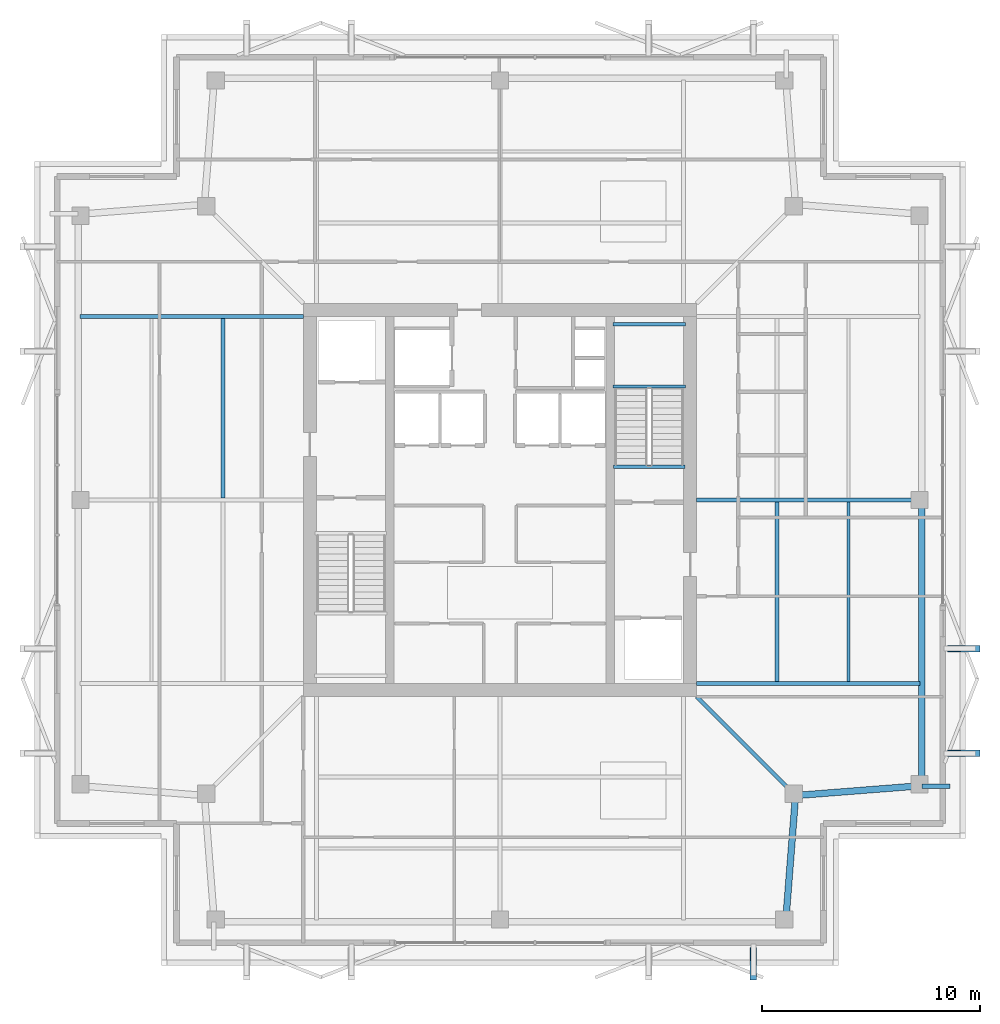
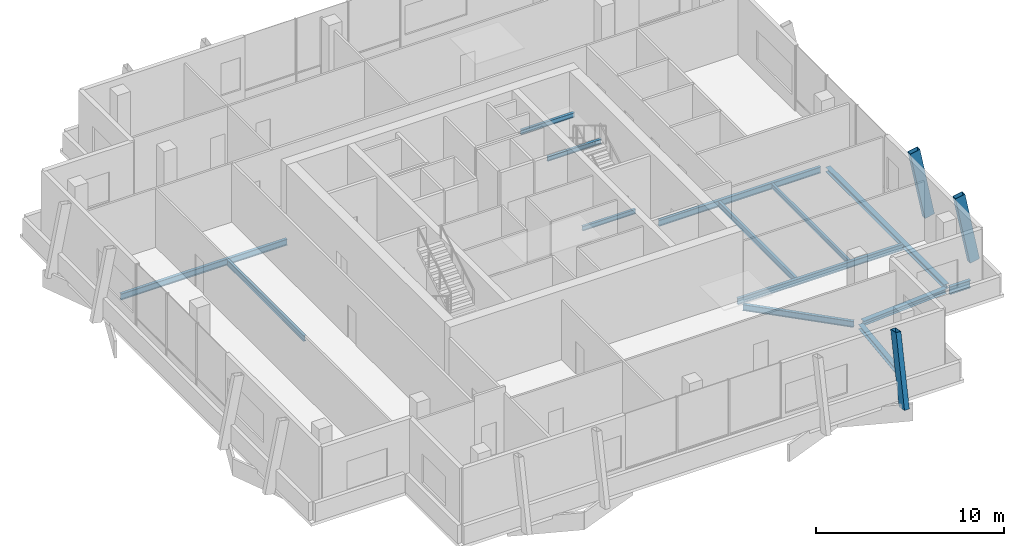
# One storey, part 7 of 17: 14 beams, 3 members.
"""IFC4 building model written with IfcOpenShell, lengths in metres."""

from ifc_helpers import new_model, si_unit, direction, frame, origin, origin_2d, place, context, subcontext, project, spatial, hollow_rectangle, i_section, extrude, material, material_profile, profile_set, type_object, element, save


model = new_model("IFC4")

# Units and contexts
model_context = context("Model", 3, precision=1e-05, world=origin(), true_north=direction((0.0, 1.0)))
body_context = subcontext(model_context, "Body", "Model", "MODEL_VIEW")
ifc_project = project(units=[si_unit("LENGTHUNIT", "METRE"), si_unit("AREAUNIT", "SQUARE_METRE"), si_unit("VOLUMEUNIT", "CUBIC_METRE"), si_unit("PLANEANGLEUNIT", "RADIAN"), si_unit("MASSUNIT", "GRAM", prefix="KILO")], contexts=[model_context])

# Site, building, storey
site_placement = place(None, origin())
site = spatial("IfcSite", under=ifc_project, at=site_placement, CompositionType="ELEMENT")
building_placement = place(site_placement, origin())
building = spatial("IfcBuilding", under=site, at=building_placement, Name="Belovzor Exchange Tower", CompositionType="ELEMENT")
storey_placement = place(building_placement, frame((0.0, 0.0, 355.5)))
storey = spatial("IfcBuildingStorey", under=building, at=storey_placement, Name="L89", CompositionType="ELEMENT", Elevation=355.5)

# Beams
ifc_material_1 = material(Name="Steel S355", Category="steel")
ifc_material_profile_1 = material_profile(ifc_material_1, i_section(OverallWidth=0.199951171875, OverallDepth=0.5, WebThickness=0.01025390625, FlangeThickness=0.01611328125, at=origin_2d()))
ifc_profile_set_1 = profile_set([ifc_material_profile_1], Name="Steel S355")
beam_type_1 = type_object("IfcBeamType", Name="Planted Balcony Cantilever Beam IPE 500", PredefinedType="BEAM", material=ifc_profile_set_1)
beam_1_placement = place(storey_placement, frame((48.1220703125, 15.705078125, -0.510009765625), z_axis=(1.0, 0.0, 0.0), x_axis=(0.0, 1.0, 0.0)))
element("IfcBeam", 1, at=beam_1_placement, inside=storey, type_object=beam_type_1, Name="BC-500 Planted Balcony Cantilever Beam IPE 500", PredefinedType="BEAM", context=body_context, shape_type="SweptSolid", body=[
    extrude(i_section(OverallWidth=0.199951171875, OverallDepth=0.5, WebThickness=0.01025390625, FlangeThickness=0.01611328125, at=origin_2d()), origin(), (0.0, 0.0, 1.0), 1.27783203125),
])
ifc_material_2 = material(Name="Steel S355", Category="steel")
ifc_material_profile_2 = material_profile(ifc_material_2, i_section(OverallWidth=0.169921875, OverallDepth=0.360107421875, WebThickness=0.008056640625, FlangeThickness=0.0126953125, at=origin_2d()))
ifc_profile_set_2 = profile_set([ifc_material_profile_2], Name="Steel S355")
beam_type_2 = type_object("IfcBeamType", Name="Secondary Infill Floor Joist IPE 360", PredefinedType="BEAM", material=ifc_profile_set_2)
beam_2_placement = place(storey_placement, frame((16.1201171875, 28.889892578125, -0.43994140625), z_axis=(0.0, 1.0, 0.0), x_axis=(-1.0, 0.0, 0.0)))
element("IfcBeam", 2, at=beam_2_placement, inside=storey, type_object=beam_type_2, Name="FJ-360 Secondary Infill Floor Joist IPE 360", PredefinedType="BEAM", context=body_context, shape_type="SweptSolid", body=[
    extrude(i_section(OverallWidth=0.169921875, OverallDepth=0.360107421875, WebThickness=0.008056640625, FlangeThickness=0.0126953125, at=origin_2d()), origin(), (0.0, 0.0, 1.0), 8.22021484375),
])
beam_3_placement = place(storey_placement, frame((41.47998046875, 20.489990234375, -0.43994140625), z_axis=(0.0, 1.0, 0.0), x_axis=(-1.0, 0.0, 0.0)))
element("IfcBeam", 3, at=beam_3_placement, inside=storey, type_object=beam_type_2, Name="FJ-360 Secondary Infill Floor Joist IPE 360", PredefinedType="BEAM", context=body_context, shape_type="SweptSolid", body=[
    extrude(i_section(OverallWidth=0.169921875, OverallDepth=0.360107421875, WebThickness=0.008056640625, FlangeThickness=0.0126953125, at=origin_2d()), origin(), (0.0, 0.0, 1.0), 8.219970703125),
])
ifc_material_3 = material(Name="Steel S355", Category="steel")
ifc_material_profile_3 = material_profile(ifc_material_3, i_section(OverallWidth=0.14990234375, OverallDepth=0.300048828125, WebThickness=0.007080078125, FlangeThickness=0.0107421875, at=origin_2d()))
ifc_profile_set_3 = profile_set([ifc_material_profile_3], Name="Steel S355")
beam_type_3 = type_object("IfcBeamType", Name="Secondary Trim Floor Joist IPE 300", PredefinedType="BEAM", material=ifc_profile_set_3)
for number, where, z_axis, x_axis, name in (
    (4, (37.280029296875, 34.0, 1.89990234375), (-1.0, 0.0, 0.0), (0.0, -1.0, 0.0), "FJ-300 Secondary Trim Floor Joist IPE 300"),
    (5, (37.280029296875, 36.85009765625, 1.89990234375), (-1.0, 0.0, 0.0), (0.0, -1.0, 0.0), "FJ-300 Secondary Trim Floor Joist IPE 300"),
):
    element("IfcBeam", number, at=place(storey_placement, frame(where, z_axis=z_axis, x_axis=x_axis)), inside=storey, type_object=beam_type_3, Name=name, PredefinedType="BEAM", context=body_context, shape_type="SweptSolid", body=[
        extrude(i_section(OverallWidth=0.14990234375, OverallDepth=0.300048828125, WebThickness=0.007080078125, FlangeThickness=0.0107421875, at=origin_2d()), origin(), (0.0, 0.0, 1.0), 3.31005859375),
    ])
beam_4_placement = place(storey_placement, frame((37.260009765625, 30.320068359375, -0.409912109375), z_axis=(-1.0, 0.0, 0.0), x_axis=(0.0, -1.0, 0.0)))
element("IfcBeam", 6, at=beam_4_placement, inside=storey, type_object=beam_type_3, Name="FJ-300 Secondary Trim Floor Joist IPE 300", PredefinedType="BEAM", context=body_context, shape_type="SweptSolid", body=[
    extrude(i_section(OverallWidth=0.14990234375, OverallDepth=0.300048828125, WebThickness=0.007080078125, FlangeThickness=0.0107421875, at=origin_2d()), origin(), (0.0, 0.0, 1.0), 3.27001953125),
])
beam_5_placement = place(storey_placement, frame((44.751953125, 20.489990234375, -0.409912109375), z_axis=(0.0, 1.0, 0.0), x_axis=(-1.0, 0.0, 0.0)))
element("IfcBeam", 7, at=beam_5_placement, inside=storey, type_object=beam_type_3, Name="FJ-300 Secondary Trim Floor Joist IPE 300", PredefinedType="BEAM", context=body_context, shape_type="SweptSolid", body=[
    extrude(i_section(OverallWidth=0.14990234375, OverallDepth=0.300048828125, WebThickness=0.007080078125, FlangeThickness=0.0107421875, at=origin_2d()), origin(), (0.0, 0.0, 1.0), 8.219970703125),
])

# Members
ifc_material_4 = material(Name="Extruded Architectural Terracotta on Steel S355 Carrier", Category="masonry")
ifc_material_profile_4 = material_profile(ifc_material_4, hollow_rectangle(XDim=0.300048828125, YDim=0.60009765625, WallThickness=0.01611328125, at=origin_2d()))
ifc_profile_set_4 = profile_set([ifc_material_profile_4], Name="Extruded Architectural Terracotta on Steel S355 Carrier")
member_type = type_object("IfcMemberType", Name="Upper Crown Terracotta Fin Assembly 550", PredefinedType="USERDEFINED", material=ifc_profile_set_4)
for number, where, z_axis, x_axis, name in (
    (8, (50.47509765625, 17.199951171875, -0.260009765625), (-0.196146827104, 0.0, 0.980574536798), (0.0, -1.0, 0.0), "FIN-TC055 Terracotta Facade Fin L89 E1"),
    (9, (50.47509765625, 22.0, -0.260009765625), (-0.196146827104, 0.0, 0.980574536798), (0.0, -1.0, 0.0), "FIN-TC055 Terracotta Facade Fin L89 E2"),
    (10, (40.39990234375, 7.125, -0.260009765625), (0.0, 0.196095673508, 0.980584767795), (-1.0, 0.0, 0.0), "FIN-TC055 Terracotta Facade Fin L89 S4"),
):
    element("IfcMember", number, at=place(storey_placement, frame(where, z_axis=z_axis, x_axis=x_axis)), inside=storey, type_object=member_type, Name=name, ObjectType="FIN", PredefinedType="USERDEFINED", context=body_context, shape_type="SweptSolid", body=[
        extrude(hollow_rectangle(XDim=0.300048828125, YDim=0.60009765625, WallThickness=0.01611328125, at=origin_2d()), origin(), (0.0, 0.0, 1.0), 4.589111328125),
    ])

# Beams
ifc_material_5 = material(Name="Steel S355", Category="steel")
ifc_material_profile_5 = material_profile(ifc_material_5, i_section(OverallWidth=0.179931640625, OverallDepth=0.39990234375, WebThickness=0.008544921875, FlangeThickness=0.013427734375, at=origin_2d()))
ifc_profile_set_5 = profile_set([ifc_material_profile_5], Name="Steel S355")
beam_type_4 = type_object("IfcBeamType", Name="Zone 5-6 Radial Composite Floor Beam IPE 400", PredefinedType="BEAM", material=ifc_profile_set_5)
beam_6_placement = place(storey_placement, frame((19.800048828125, 37.199951171875, -0.4599609375), z_axis=(-1.0, 0.0, 0.0), x_axis=(0.0, -1.0, 0.0)))
element("IfcBeam", 11, at=beam_6_placement, inside=storey, type_object=beam_type_4, Name="FB-400 Zone 5-6 Radial Composite Floor Beam IPE 400", PredefinedType="BEAM", context=body_context, shape_type="SweptSolid", body=[
    extrude(i_section(OverallWidth=0.179931640625, OverallDepth=0.39990234375, WebThickness=0.008544921875, FlangeThickness=0.013427734375, at=origin_2d()), origin(), (0.0, 0.0, 1.0), 10.22314453125),
])
beam_7_placement = place(storey_placement, frame((37.800048828125, 20.39990234375, -0.4599609375), z_axis=(1.0, 0.0, 0.0), x_axis=(0.0, 1.0, 0.0)))
element("IfcBeam", 12, at=beam_7_placement, inside=storey, type_object=beam_type_4, Name="FB-400 Zone 5-6 Radial Composite Floor Beam IPE 400", PredefinedType="BEAM", context=body_context, shape_type="SweptSolid", body=[
    extrude(i_section(OverallWidth=0.179931640625, OverallDepth=0.39990234375, WebThickness=0.008544921875, FlangeThickness=0.013427734375, at=origin_2d()), origin(), (0.0, 0.0, 1.0), 10.222900390625),
])
beam_8_placement = place(storey_placement, frame((37.800048828125, 28.800048828125, -0.4599609375), z_axis=(1.0, 0.0, 0.0), x_axis=(0.0, 1.0, 0.0)))
element("IfcBeam", 13, at=beam_8_placement, inside=storey, type_object=beam_type_4, Name="FB-400 Zone 5-6 Radial Composite Floor Beam IPE 400", PredefinedType="BEAM", context=body_context, shape_type="SweptSolid", body=[
    extrude(i_section(OverallWidth=0.179931640625, OverallDepth=0.39990234375, WebThickness=0.008544921875, FlangeThickness=0.013427734375, at=origin_2d()), origin(), (0.0, 0.0, 1.0), 9.9580078125),
])
beam_9_placement = place(storey_placement, frame((37.800048828125, 19.800048828125, -0.4599609375), z_axis=(0.707086832622, -0.707126729188, 0.0), x_axis=(0.707126729188, 0.707086832622, 0.0)))
element("IfcBeam", 14, at=beam_9_placement, inside=storey, type_object=beam_type_4, Name="FB-400 Zone 5-6 Radial Composite Floor Beam IPE 400", PredefinedType="BEAM", context=body_context, shape_type="SweptSolid", body=[
    extrude(i_section(OverallWidth=0.179931640625, OverallDepth=0.39990234375, WebThickness=0.008544921875, FlangeThickness=0.013427734375, at=origin_2d()), origin(), (0.0, 0.0, 1.0), 6.119384765625),
])
ifc_material_6 = material(Name="Steel S355", Category="steel")
ifc_material_profile_6 = material_profile(ifc_material_6, i_section(OverallWidth=0.300048828125, OverallDepth=0.300048828125, WebThickness=0.008544921875, FlangeThickness=0.013916015625, at=origin_2d()))
ifc_profile_set_6 = profile_set([ifc_material_profile_6], Name="Steel S355")
beam_type_5 = type_object("IfcBeamType", Name="Zone 6 Primary Girder HEA 300", PredefinedType="BEAM", material=ifc_profile_set_6)
for number, where, z_axis, x_axis, name in (
    (15, (41.89404296875, 9.720947265625, -0.409912109375), (0.077771422465, 0.996971216158, 0.0), (-0.996971216158, 0.077771422465, 0.0), "FG-Z6 Zone 6 Primary Girder HEA 300"),
    (16, (42.5458984375, 15.2900390625, -0.409912109375), (0.996971216158, 0.077771422465, 0.0), (-0.077771422465, 0.996971216158, 0.0), "FG-Z6 Zone 6 Primary Girder HEA 300"),
):
    element("IfcBeam", number, at=place(storey_placement, frame(where, z_axis=z_axis, x_axis=x_axis)), inside=storey, type_object=beam_type_5, Name=name, PredefinedType="BEAM", context=body_context, shape_type="SweptSolid", body=[
        extrude(i_section(OverallWidth=0.300048828125, OverallDepth=0.300048828125, WebThickness=0.008544921875, FlangeThickness=0.013916015625, at=origin_2d()), origin(), (0.0, 0.0, 1.0), 5.34912109375),
    ])
beam_10_placement = place(storey_placement, frame((48.097900390625, 15.943115234375, -0.409912109375), z_axis=(0.0, 1.0, 0.0), x_axis=(-1.0, 0.0, 0.0)))
element("IfcBeam", 17, at=beam_10_placement, inside=storey, type_object=beam_type_5, Name="FG-Z6 Zone 6 Primary Girder HEA 300", PredefinedType="BEAM", context=body_context, shape_type="SweptSolid", body=[
    extrude(i_section(OverallWidth=0.300048828125, OverallDepth=0.300048828125, WebThickness=0.008544921875, FlangeThickness=0.013916015625, at=origin_2d()), origin(), (0.0, 0.0, 1.0), 12.636962890625),
])

save(model, "model.ifc")
